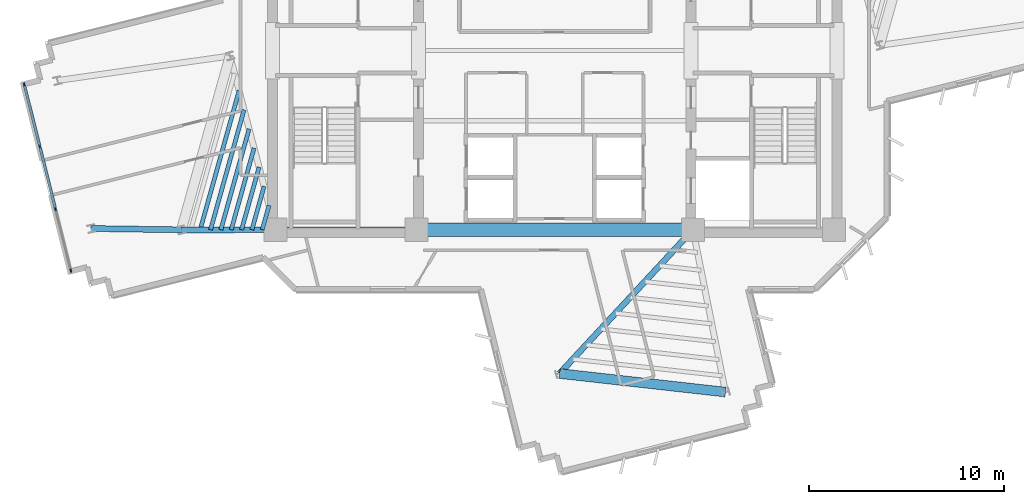
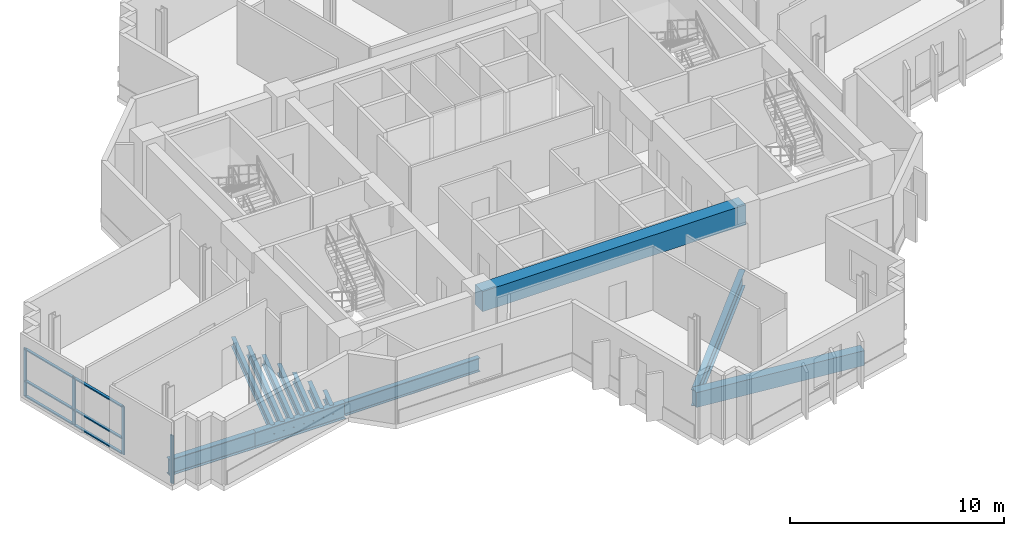
# One storey, part 2 of 13: 13 beams, 10 members, 1 element without a shape of its own.
"""IFC4 building model written with IfcOpenShell, lengths in metres."""

import ifcopenshell
import ifcopenshell.guid

model = None  # the IFC model being written
_history = None  # IfcOwnerHistory: only IFC2X3 demands one
_inside = {}  # id of a spatial element -> (the spatial element, [elements in it])
_under = {}  # id of a project, library or spatial element -> (it, [spatial elements below it])
_declared = {}  # id of a project -> (the project, [libraries it declares])
_typed = {}  # id of a type object -> (the type object, [elements of that type])
_made_of = {}  # id of a material, layer set ... -> (it, [elements and type objects made of it])


def new_model(schema):
    """Start an empty IFC model of exactly this schema.

    Asked for "IFC4X3", IfcOpenShell would pick the latest addendum, in which some entities
    have other attributes; the version numbers below select the first issue.
    IFC2X3 requires an IfcOwnerHistory on every rooted entity: one is made here for all.
    """
    global model, _history
    if schema == "IFC4X3":
        model = ifcopenshell.file(schema_version=(4, 3, 0, 0))
    else:
        model = ifcopenshell.file(schema=schema)
    _inside.clear()
    _under.clear()
    _declared.clear()
    _typed.clear()
    _made_of.clear()
    _history = None
    if model.schema == "IFC2X3":
        org = make("IfcOrganization", Name="unknown")
        user = make(
            "IfcPersonAndOrganization",
            ThePerson=make("IfcPerson", FamilyName="unknown"),
            TheOrganization=org,
        )
        app = make(
            "IfcApplication",
            ApplicationDeveloper=org,
            Version="unknown",
            ApplicationFullName="unknown",
            ApplicationIdentifier="unknown",
        )
        _history = make(
            "IfcOwnerHistory",
            OwningUser=user,
            OwningApplication=app,
            ChangeAction="ADDED",
            CreationDate=0,
        )
    return model


def make(cls, **values):
    """One entity of the class cls with the attributes given. An attribute that is None is left unset."""
    return model.create_entity(
        cls, **{name: value for name, value in values.items() if value is not None}
    )


def rooted(cls, **values):
    """An entity with a GlobalId (a new one), such as an element, a storey or a relation."""
    return make(cls, GlobalId=ifcopenshell.guid.new(), OwnerHistory=_history, **values)


def si_unit(unit_type, name, prefix=None):
    """IfcSIUnit, for example si_unit("LENGTHUNIT", "METRE", prefix="MILLI")."""
    return make("IfcSIUnit", UnitType=unit_type, Prefix=prefix, Name=name)


def assignment(units):
    """IfcUnitAssignment: the units of a project."""
    return None if units is None else make("IfcUnitAssignment", Units=units)


def point(xyz):
    """IfcCartesianPoint."""
    return None if xyz is None else make("IfcCartesianPoint", Coordinates=xyz)


def direction(xyz):
    """IfcDirection."""
    return None if xyz is None else make("IfcDirection", DirectionRatios=xyz)


def frame(location, z_axis=None, x_axis=None):
    """IfcAxis2Placement3D, a coordinate frame: its origin and axes. An axis left out is left unset."""
    return make(
        "IfcAxis2Placement3D",
        Location=point(location),
        Axis=direction(z_axis),
        RefDirection=direction(x_axis),
    )


def frame_2d(location, x_axis=None):
    """IfcAxis2Placement2D, a coordinate frame in the plane: its origin and x axis."""
    return make(
        "IfcAxis2Placement2D", Location=point(location), RefDirection=direction(x_axis)
    )


def origin():
    """The frame at (0, 0, 0) with its axes left unset."""
    return frame((0.0, 0.0, 0.0))


def origin_2d():
    """The frame at (0, 0) in the plane with its x axis left unset."""
    return frame_2d((0.0, 0.0))


def place(relative_to, where):
    """IfcLocalPlacement: puts the frame where relative to a parent placement (None: the world)."""
    return make(
        "IfcLocalPlacement", PlacementRelTo=relative_to, RelativePlacement=where
    )


def context(
    kind, dimensions, precision=None, world=None, true_north=None, identifier=None
):
    """IfcGeometricRepresentationContext, for example the 3D "Model" context."""
    return make(
        "IfcGeometricRepresentationContext",
        ContextIdentifier=identifier,
        ContextType=kind,
        CoordinateSpaceDimension=dimensions,
        Precision=precision,
        WorldCoordinateSystem=world,
        TrueNorth=true_north,
    )


def subcontext(parent, identifier, kind, view, scale=None):
    """IfcGeometricRepresentationSubContext, for example "Body" below "Model"."""
    return make(
        "IfcGeometricRepresentationSubContext",
        ContextIdentifier=identifier,
        ContextType=kind,
        ParentContext=parent,
        TargetScale=scale,
        TargetView=view,
    )


def project(units=None, contexts=None):
    """IfcProject with its units and contexts."""
    return rooted(
        "IfcProject",
        Name="project",
        RepresentationContexts=contexts,
        UnitsInContext=assignment(units),
    )


def spatial(cls, under=None, at=None, **own):
    """A site, building, storey or space (cls), placed at a placement, below another one or the project."""
    s = rooted(cls, ObjectPlacement=at, **own)
    if under is not None:
        _under.setdefault(under.id(), (under, []))[1].append(s)
    return s


def profile(cls, at=None, kind="AREA", **sizes):
    """A parametric profile (cls). Its sizes go by their IFC names, for example OverallWidth=200.0."""
    return make(cls, ProfileType=kind, Position=at, **sizes)


def rectangle(**sizes):
    """IfcRectangleProfileDef."""
    return profile("IfcRectangleProfileDef", **sizes)


def i_section(**sizes):
    """IfcIShapeProfileDef."""
    return profile("IfcIShapeProfileDef", **sizes)


def extrude(swept, where, along, depth):
    """IfcExtrudedAreaSolid: the profile swept, set in the frame where, extruded along a direction by depth."""
    return make(
        "IfcExtrudedAreaSolid",
        SweptArea=swept,
        Position=where,
        ExtrudedDirection=direction(along),
        Depth=depth,
    )


def shape(context_of_items, identifier, shape_type, items):
    """IfcShapeRepresentation: the items that make up one representation, for example the "Body"."""
    return make(
        "IfcShapeRepresentation",
        ContextOfItems=context_of_items,
        RepresentationIdentifier=identifier,
        RepresentationType=shape_type,
        Items=items,
    )


def source(mapping_origin, context_of_items, identifier, shape_type, items):
    """IfcRepresentationMap: a shape defined once, which mapped items show again and again."""
    return make(
        "IfcRepresentationMap",
        MappingOrigin=mapping_origin,
        MappedRepresentation=shape(context_of_items, identifier, shape_type, items),
    )


def transform(
    local_origin,
    x_axis=None,
    y_axis=None,
    z_axis=None,
    scale=None,
    scale2=None,
    scale3=None,
    uniform=True,
):
    """IfcCartesianTransformationOperator3D, or its non-uniform kind. x_axis, y_axis, z_axis: its Axis1, 2, 3."""
    if uniform:
        return make(
            "IfcCartesianTransformationOperator3D",
            Axis1=direction(x_axis),
            Axis2=direction(y_axis),
            LocalOrigin=point(local_origin),
            Scale=scale,
            Axis3=direction(z_axis),
        )
    return make(
        "IfcCartesianTransformationOperator3DnonUniform",
        Axis1=direction(x_axis),
        Axis2=direction(y_axis),
        LocalOrigin=point(local_origin),
        Scale=scale,
        Axis3=direction(z_axis),
        Scale2=scale2,
        Scale3=scale3,
    )


def mapped(mapping_source, mapping_target):
    """IfcMappedItem: shows the shape of a source again, moved by a transform."""
    return make(
        "IfcMappedItem", MappingSource=mapping_source, MappingTarget=mapping_target
    )


def material(Name=None, Category=None):
    """IfcMaterial."""
    return make("IfcMaterial", Name=Name, Category=Category)


def layer(
    of_material, thickness, ventilated=None, Name=None, Category=None, Priority=None
):
    """IfcMaterialLayer: one layer of a wall or slab, of a material (None: an air gap)."""
    return make(
        "IfcMaterialLayer",
        Material=of_material,
        LayerThickness=thickness,
        IsVentilated=ventilated,
        Name=Name,
        Category=Category,
        Priority=Priority,
    )


def layer_set(layers, Name=None):
    """IfcMaterialLayerSet."""
    return make("IfcMaterialLayerSet", MaterialLayers=layers, LayerSetName=Name)


def material_profile(
    of_material, cross_section, Name=None, Category=None, Priority=None
):
    """IfcMaterialProfile: a cross section and its material."""
    return make(
        "IfcMaterialProfile",
        Name=Name,
        Material=of_material,
        Profile=cross_section,
        Priority=Priority,
        Category=Category,
    )


def profile_set(profiles, Name=None, composite=None):
    """IfcMaterialProfileSet."""
    return make(
        "IfcMaterialProfileSet",
        Name=Name,
        MaterialProfiles=profiles,
        CompositeProfile=composite,
    )


def made_of(thing, what):
    """Note that an element or type object is made of a material, layer set ...; save() writes the relation."""
    if what is not None:
        _made_of.setdefault(what.id(), (what, []))[1].append(thing)
    return thing


def type_object(cls, material=None, **own):
    """A type object (cls), such as IfcWallType, which elements share."""
    return made_of(rooted(cls, **own), material)


def element(
    cls,
    number,
    at=None,
    inside=None,
    cuts=None,
    type_object=None,
    material=None,
    context=None,
    identifier="Body",
    shape_type=None,
    held_by="IfcProductDefinitionShape",
    body=None,
    shapes=None,
    **own,
):
    """One element of the class cls, such as IfcWall. Its Tag is "e" and its number.

    at: its placement. inside: the storey or other place that contains it. cuts: it is an
    opening in that element (IfcRelVoidsElement). A single representation is given by context,
    identifier, shape_type and body (its items); several are given by shapes. held_by: the class
    of the entity that holds the representations. save() writes the other relations.
    """
    e = rooted(cls, Tag="e%d" % number, ObjectPlacement=at, **own)
    if body is not None:
        shapes = [shape(context, identifier, shape_type, body)]
    if shapes is not None:
        e.Representation = make(held_by, Representations=shapes)
    if inside is not None:
        _inside.setdefault(inside.id(), (inside, []))[1].append(e)
    if cuts is not None:
        rooted(
            "IfcRelVoidsElement", RelatingBuildingElement=cuts, RelatedOpeningElement=e
        )
    if type_object is not None:
        _typed.setdefault(type_object.id(), (type_object, []))[1].append(e)
    return made_of(e, material)


def aggregate(whole, parts):
    """IfcRelAggregates: a whole, such as a stair, and the parts it consists of."""
    return rooted("IfcRelAggregates", RelatingObject=whole, RelatedObjects=parts)


def save(model, path):
    """Write the relations noted so far, then the file.

    IfcRelAggregates (storeys below a building ...), IfcRelContainedInSpatialStructure (elements
    in a storey), IfcRelDefinesByType, IfcRelAssociatesMaterial and IfcRelDeclares: one each for
    every whole, place, type object, material and project.
    """
    for whole, parts in _under.values():
        aggregate(whole, parts)
    for where, things in _inside.values():
        rooted(
            "IfcRelContainedInSpatialStructure",
            RelatedElements=things,
            RelatingStructure=where,
        )
    for kind, things in _typed.values():
        rooted("IfcRelDefinesByType", RelatedObjects=things, RelatingType=kind)
    for what, things in _made_of.values():
        rooted("IfcRelAssociatesMaterial", RelatedObjects=things, RelatingMaterial=what)
    for by, libraries in _declared.values():
        rooted("IfcRelDeclares", RelatingContext=by, RelatedDefinitions=libraries)
    model.write(path)


model = new_model("IFC4")

# Units and contexts
model_context = context("Model", 3, precision=1e-05, world=origin(), true_north=direction((0.0, 1.0)))
body_context = subcontext(model_context, "Body", "Model", "MODEL_VIEW")
ifc_project = project(units=[si_unit("LENGTHUNIT", "METRE"), si_unit("AREAUNIT", "SQUARE_METRE"), si_unit("VOLUMEUNIT", "CUBIC_METRE"), si_unit("PLANEANGLEUNIT", "RADIAN"), si_unit("MASSUNIT", "GRAM", prefix="KILO")], contexts=[model_context])

# Site, building, storey
site_placement = place(None, origin())
site = spatial("IfcSite", under=ifc_project, at=site_placement, CompositionType="ELEMENT")
building_placement = place(site_placement, origin())
building = spatial("IfcBuilding", under=site, at=building_placement, Name="Zahravan Cultural Tower", CompositionType="ELEMENT")
storey_placement = place(building_placement, frame((0.0, 0.0, 190.199951171875)))
storey = spatial("IfcBuildingStorey", under=building, at=storey_placement, Name="L44", CompositionType="ELEMENT", Elevation=190.199951171875)

# Beams
ifc_material_1 = material(Name="Concrete C50/60", Category="concrete")
ifc_material_profile_1 = material_profile(ifc_material_1, rectangle(XDim=0.699951171875, YDim=1.14990234375, at=origin_2d()), Name="RC700X1150")
ifc_profile_set_1 = profile_set([ifc_material_profile_1], Name="Concrete C50/60")
beam_type_1 = type_object("IfcBeamType", Name="BM-LN-RC700X1150", PredefinedType="LINTEL", material=ifc_profile_set_1)
shared_shape_1 = source(origin(), body_context, "Body", "SweptSolid", [
    extrude(rectangle(XDim=0.699951171875, YDim=1.14990234375, at=origin_2d()), origin(), (0.0, 0.0, 1.0), 14.2001953125),
])
beam_1_placement = place(storey_placement, frame((28.89990234375, 17.800048828125, 3.045166015625), z_axis=(1.0, 0.0, 0.0), x_axis=(0.0, 1.0, 0.0)))
element("IfcBeam", 1, at=beam_1_placement, inside=storey, type_object=beam_type_1, Name="L44 Beam LN-L44-S", PredefinedType="LINTEL", context=body_context, shape_type="MappedRepresentation", body=[
    mapped(shared_shape_1, transform((0.0, 0.0, 0.0), x_axis=(1.0, 0.0, 0.0), y_axis=(0.0, 1.0, 0.0), z_axis=(0.0, 0.0, 1.0), scale=1.0)),
])
ifc_material_2 = material(Name="Steel ASTM A992 Grade 50", Category="steel")
ifc_material_profile_2 = material_profile(ifc_material_2, i_section(OverallWidth=0.26611328125, OverallDepth=0.780029296875, WebThickness=0.0166015625, FlangeThickness=0.030029296875, FilletRadius=0.01904296875, at=origin_2d()), Name="W30X148")
ifc_profile_set_2 = profile_set([ifc_material_profile_2], Name="Steel ASTM A992 Grade 50")
beam_type_2 = type_object("IfcBeamType", Name="BM-G-W30X148", PredefinedType="BEAM", material=ifc_profile_set_2)
shared_shape_2 = source(origin(), body_context, "Body", "SweptSolid", [
    extrude(i_section(OverallWidth=0.26611328125, OverallDepth=0.780029296875, WebThickness=0.0166015625, FlangeThickness=0.030029296875, FilletRadius=0.01904296875, at=origin_2d()), origin(), (0.0, 0.0, 1.0), 7.25),
])
beam_2_placement = place(storey_placement, frame((21.64990234375, 17.800048828125, -0.669921875), z_axis=(1.0, 0.0, 0.0), x_axis=(0.0, 1.0, 0.0)))
element("IfcBeam", 2, at=beam_2_placement, inside=storey, type_object=beam_type_2, Name="L44 Beam BG-L44-01", PredefinedType="BEAM", context=body_context, shape_type="MappedRepresentation", body=[
    mapped(shared_shape_2, transform((0.0, 0.0, 0.0), x_axis=(1.0, 0.0, 0.0), y_axis=(0.0, 1.0, 0.0), z_axis=(0.0, 0.0, 1.0), scale=1.0)),
])
ifc_material_profile_3 = material_profile(ifc_material_2, i_section(OverallWidth=0.304931640625, OverallDepth=0.9189453125, WebThickness=0.017333984375, FlangeThickness=0.02783203125, FilletRadius=0.02392578125, at=origin_2d()), Name="W36X170")
ifc_profile_set_3 = profile_set([ifc_material_profile_3], Name="Steel ASTM A992 Grade 50")
beam_type_3 = type_object("IfcBeamType", Name="BM-G-W36X170", PredefinedType="BEAM", material=ifc_profile_set_3)
shared_shape_3 = source(origin(), body_context, "Body", "SweptSolid", [
    extrude(i_section(OverallWidth=0.304931640625, OverallDepth=0.9189453125, WebThickness=0.017333984375, FlangeThickness=0.02783203125, FilletRadius=0.02392578125, at=origin_2d()), origin(), (0.0, 0.0, 1.0), 4.834716796875),
])
beam_3_placement = place(storey_placement, frame((21.64990234375, 17.800048828125, -0.739501953125), z_axis=(-0.99999920313, -0.001262433979, 0.0), x_axis=(0.001262433979, -0.99999920313, 0.0)))
element("IfcBeam", 3, at=beam_3_placement, inside=storey, type_object=beam_type_3, Name="L44 Beam BG-L44-08", PredefinedType="BEAM", context=body_context, shape_type="MappedRepresentation", body=[
    mapped(shared_shape_3, transform((0.0, 0.0, 0.0), x_axis=(1.0, 0.0, 0.0), y_axis=(0.0, 1.0, 0.0), z_axis=(0.0, 0.0, 1.0), scale=1.0)),
])
shared_shape_4 = source(origin(), body_context, "Body", "SweptSolid", [
    extrude(i_section(OverallWidth=0.304931640625, OverallDepth=0.9189453125, WebThickness=0.017333984375, FlangeThickness=0.02783203125, FilletRadius=0.02392578125, at=origin_2d()), origin(), (0.0, 0.0, 1.0), 10.077880859375),
])
beam_4_placement = place(storey_placement, frame((43.10009765625, 17.800048828125, -0.739501953125), z_axis=(-0.680170435587, -0.733054007938, 0.0), x_axis=(0.733054007938, -0.680170435587, 0.0)))
element("IfcBeam", 4, at=beam_4_placement, inside=storey, type_object=beam_type_3, Name="L44 Beam BG-L44-09", PredefinedType="BEAM", context=body_context, shape_type="MappedRepresentation", body=[
    mapped(shared_shape_4, transform((0.0, 0.0, 0.0), x_axis=(1.0, 0.0, 0.0), y_axis=(0.0, 1.0, 0.0), z_axis=(0.0, 0.0, 1.0), scale=1.0)),
])
shared_shape_5 = source(origin(), body_context, "Body", "SweptSolid", [
    extrude(i_section(OverallWidth=0.304931640625, OverallDepth=0.9189453125, WebThickness=0.017333984375, FlangeThickness=0.02783203125, FilletRadius=0.02392578125, at=origin_2d()), origin(), (0.0, 0.0, 1.0), 4.622314453125),
])
beam_5_placement = place(storey_placement, frame((16.815185546875, 17.7939453125, -0.739501953125), z_axis=(-0.999889070044, 0.014894549562, 0.0), x_axis=(-0.014894549562, -0.999889070044, 0.0)))
element("IfcBeam", 5, at=beam_5_placement, inside=storey, type_object=beam_type_3, Name="L44 Beam BG-L44-18", PredefinedType="BEAM", context=body_context, shape_type="MappedRepresentation", body=[
    mapped(shared_shape_5, transform((0.0, 0.0, 0.0), x_axis=(1.0, 0.0, 0.0), y_axis=(0.0, 1.0, 0.0), z_axis=(0.0, 0.0, 1.0), scale=1.0)),
])
ifc_material_profile_4 = material_profile(ifc_material_1, rectangle(XDim=0.5, YDim=0.85009765625, at=origin_2d()), Name="RC500X850")
ifc_profile_set_4 = profile_set([ifc_material_profile_4], Name="Concrete C50/60")
beam_type_4 = type_object("IfcBeamType", Name="BM-SP-RC500X850", PredefinedType="SPANDREL", material=ifc_profile_set_4)
shared_shape_6 = source(origin(), body_context, "Body", "SweptSolid", [
    extrude(rectangle(XDim=0.5, YDim=0.85009765625, at=origin_2d()), origin(), (0.0, 0.0, 1.0), 8.579833984375),
])
beam_6_placement = place(storey_placement, frame((36.245361328125, 10.412353515625, -0.704833984375), z_axis=(0.9938040105, -0.11114669907, 0.0), x_axis=(0.11114669907, 0.9938040105, 0.0)))
element("IfcBeam", 6, at=beam_6_placement, inside=storey, type_object=beam_type_4, Name="L44 Beam SP-L44-20", PredefinedType="SPANDREL", context=body_context, shape_type="MappedRepresentation", body=[
    mapped(shared_shape_6, transform((0.0, 0.0, 0.0), x_axis=(1.0, 0.0, 0.0), y_axis=(0.0, 1.0, 0.0), z_axis=(0.0, 0.0, 1.0), scale=1.0)),
])
ifc_material_profile_5 = material_profile(ifc_material_2, i_section(OverallWidth=0.2099609375, OverallDepth=0.532958984375, WebThickness=0.01025390625, FlangeThickness=0.015625, FilletRadius=0.013916015625, at=origin_2d()), Name="W21X62")
ifc_profile_set_5 = profile_set([ifc_material_profile_5], Name="Steel ASTM A992 Grade 50")
beam_type_5 = type_object("IfcBeamType", Name="BM-J-W21X62", PredefinedType="JOIST", material=ifc_profile_set_5)
shared_shape_7 = source(origin(), body_context, "Body", "SweptSolid", [
    extrude(i_section(OverallWidth=0.2099609375, OverallDepth=0.532958984375, WebThickness=0.01025390625, FlangeThickness=0.015625, FilletRadius=0.013916015625, at=origin_2d()), origin(), (0.0, 0.0, 1.0), 1.299072265625),
])
beam_7_placement = place(storey_placement, frame((21.3232421875, 19.050048828125, -0.54638671875), z_axis=(-0.269504444708, -0.962999145525, 0.0), x_axis=(0.962999145525, -0.269504444708, 0.0)))
element("IfcBeam", 7, at=beam_7_placement, inside=storey, type_object=beam_type_5, Name="L44 Beam BJ-L44-26", PredefinedType="JOIST", context=body_context, shape_type="MappedRepresentation", body=[
    mapped(shared_shape_7, transform((0.0, 0.0, 0.0), x_axis=(1.0, 0.0, 0.0), y_axis=(0.0, 1.0, 0.0), z_axis=(0.0, 0.0, 1.0), scale=1.0)),
])
shared_shape_8 = source(origin(), body_context, "Body", "SweptSolid", [
    extrude(i_section(OverallWidth=0.2099609375, OverallDepth=0.532958984375, WebThickness=0.01025390625, FlangeThickness=0.015625, FilletRadius=0.013916015625, at=origin_2d()), origin(), (0.0, 0.0, 1.0), 2.3193359375),
])
beam_8_placement = place(storey_placement, frame((21.06640625, 20.0322265625, -0.54638671875), z_axis=(-0.269462038626, -0.963011012263, 0.0), x_axis=(0.963011012263, -0.269462038626, 0.0)))
element("IfcBeam", 8, at=beam_8_placement, inside=storey, type_object=beam_type_5, Name="L44 Beam BJ-L44-27", PredefinedType="JOIST", context=body_context, shape_type="MappedRepresentation", body=[
    mapped(shared_shape_8, transform((0.0, 0.0, 0.0), x_axis=(1.0, 0.0, 0.0), y_axis=(0.0, 1.0, 0.0), z_axis=(0.0, 0.0, 1.0), scale=1.0)),
])
shared_shape_9 = source(origin(), body_context, "Body", "SweptSolid", [
    extrude(i_section(OverallWidth=0.2099609375, OverallDepth=0.532958984375, WebThickness=0.01025390625, FlangeThickness=0.015625, FilletRadius=0.013916015625, at=origin_2d()), origin(), (0.0, 0.0, 1.0), 3.340087890625),
])
beam_9_placement = place(storey_placement, frame((20.809814453125, 21.014404296875, -0.54638671875), z_axis=(-0.269562146951, -0.962982995141, 0.0), x_axis=(0.962982995141, -0.269562146951, 0.0)))
element("IfcBeam", 9, at=beam_9_placement, inside=storey, type_object=beam_type_5, Name="L44 Beam BJ-L44-28", PredefinedType="JOIST", context=body_context, shape_type="MappedRepresentation", body=[
    mapped(shared_shape_9, transform((0.0, 0.0, 0.0), x_axis=(1.0, 0.0, 0.0), y_axis=(0.0, 1.0, 0.0), z_axis=(0.0, 0.0, 1.0), scale=1.0)),
])
shared_shape_10 = source(origin(), body_context, "Body", "SweptSolid", [
    extrude(i_section(OverallWidth=0.2099609375, OverallDepth=0.532958984375, WebThickness=0.01025390625, FlangeThickness=0.015625, FilletRadius=0.013916015625, at=origin_2d()), origin(), (0.0, 0.0, 1.0), 4.36083984375),
])
beam_10_placement = place(storey_placement, frame((20.552978515625, 21.99658203125, -0.54638671875), z_axis=(-0.269511557673, -0.962997154866, 0.0), x_axis=(0.962997154866, -0.269511557673, 0.0)))
element("IfcBeam", 10, at=beam_10_placement, inside=storey, type_object=beam_type_5, Name="L44 Beam BJ-L44-29", PredefinedType="JOIST", context=body_context, shape_type="MappedRepresentation", body=[
    mapped(shared_shape_10, transform((0.0, 0.0, 0.0), x_axis=(1.0, 0.0, 0.0), y_axis=(0.0, 1.0, 0.0), z_axis=(0.0, 0.0, 1.0), scale=1.0)),
])
shared_shape_11 = source(origin(), body_context, "Body", "SweptSolid", [
    extrude(i_section(OverallWidth=0.2099609375, OverallDepth=0.532958984375, WebThickness=0.01025390625, FlangeThickness=0.015625, FilletRadius=0.013916015625, at=origin_2d()), origin(), (0.0, 0.0, 1.0), 5.3818359375),
])
beam_11_placement = place(storey_placement, frame((20.296142578125, 22.97900390625, -0.54638671875), z_axis=(-0.269510454638, -0.962997463569, 0.0), x_axis=(0.962997463569, -0.269510454638, 0.0)))
element("IfcBeam", 11, at=beam_11_placement, inside=storey, type_object=beam_type_5, Name="L44 Beam BJ-L44-30", PredefinedType="JOIST", context=body_context, shape_type="MappedRepresentation", body=[
    mapped(shared_shape_11, transform((0.0, 0.0, 0.0), x_axis=(1.0, 0.0, 0.0), y_axis=(0.0, 1.0, 0.0), z_axis=(0.0, 0.0, 1.0), scale=1.0)),
])
shared_shape_12 = source(origin(), body_context, "Body", "SweptSolid", [
    extrude(i_section(OverallWidth=0.2099609375, OverallDepth=0.532958984375, WebThickness=0.01025390625, FlangeThickness=0.015625, FilletRadius=0.013916015625, at=origin_2d()), origin(), (0.0, 0.0, 1.0), 6.402099609375),
])
beam_12_placement = place(storey_placement, frame((20.039306640625, 23.961181640625, -0.54638671875), z_axis=(-0.269494133533, -0.963002031146, 0.0), x_axis=(0.963002031146, -0.269494133533, 0.0)))
element("IfcBeam", 12, at=beam_12_placement, inside=storey, type_object=beam_type_5, Name="L44 Beam BJ-L44-31", PredefinedType="JOIST", context=body_context, shape_type="MappedRepresentation", body=[
    mapped(shared_shape_12, transform((0.0, 0.0, 0.0), x_axis=(1.0, 0.0, 0.0), y_axis=(0.0, 1.0, 0.0), z_axis=(0.0, 0.0, 1.0), scale=1.0)),
])
shared_shape_13 = source(origin(), body_context, "Body", "SweptSolid", [
    extrude(i_section(OverallWidth=0.2099609375, OverallDepth=0.532958984375, WebThickness=0.01025390625, FlangeThickness=0.015625, FilletRadius=0.013916015625, at=origin_2d()), origin(), (0.0, 0.0, 1.0), 7.4228515625),
])
beam_13_placement = place(storey_placement, frame((19.78271484375, 24.943359375, -0.54638671875), z_axis=(-0.269504266128, -0.962999195503, 0.0), x_axis=(0.962999195503, -0.269504266128, 0.0)))
element("IfcBeam", 13, at=beam_13_placement, inside=storey, type_object=beam_type_5, Name="L44 Beam BJ-L44-32", PredefinedType="JOIST", context=body_context, shape_type="MappedRepresentation", body=[
    mapped(shared_shape_13, transform((0.0, 0.0, 0.0), x_axis=(1.0, 0.0, 0.0), y_axis=(0.0, 1.0, 0.0), z_axis=(0.0, 0.0, 1.0), scale=1.0)),
])

# Curtain wall, members
ifc_material_3 = material(Name="Anodised bronze-aluminium mullion", Category="aluminium")
ifc_layer = layer(ifc_material_3, 0.179931640625)
ifc_layer_set = layer_set([ifc_layer], Name="Anodised bronze-aluminium mullion")
curtain_wall_type = type_object("IfcCurtainWallType", Name="CW-SYS-3", PredefinedType="USERDEFINED", material=ifc_layer_set)
curtain_wall_placement = place(storey_placement, origin())
curtain_wall = element("IfcCurtainWall", 14, at=curtain_wall_placement, inside=storey, type_object=curtain_wall_type, Name="L44 Recessed Curtain Wall CW-3.2", ObjectType="RECESSED GLAZING", PredefinedType="USERDEFINED")
ifc_material_profile_6 = material_profile(ifc_material_3, rectangle(XDim=0.070068359375, YDim=0.179931640625, at=origin_2d()), Name="AL-M70X180")
ifc_profile_set_6 = profile_set([ifc_material_profile_6], Name="Anodised bronze-aluminium mullion")
member_type_1 = type_object("IfcMemberType", Name="CWM-CW-3", PredefinedType="MULLION", material=ifc_profile_set_6)
shared_shape_14 = source(origin(), body_context, "Body", "SweptSolid", [
    extrude(rectangle(XDim=0.070068359375, YDim=0.179931640625, at=origin_2d()), origin(), (0.0, 0.0, 1.0), 2.739990234375),
])
member_1_placement = place(storey_placement, frame((11.14111328125, 15.697265625, 0.0), z_axis=(0.0, 0.0, 1.0), x_axis=(-0.970040421945, -0.242943573269, 0.0)))
member_1 = element("IfcMember", 15, at=member_1_placement, type_object=member_type_1, Name="CW-3 mullion 1", PredefinedType="MULLION", context=body_context, shape_type="MappedRepresentation", body=[
    mapped(shared_shape_14, transform((0.0, 0.0, 0.0), x_axis=(1.0, 0.0, 0.0), y_axis=(0.0, 1.0, 0.0), z_axis=(0.0, 0.0, 1.0), scale=1.0)),
])
member_2_placement = place(storey_placement, frame((10.346435546875, 18.870849609375, 0.0), z_axis=(0.0, 0.0, 1.0), x_axis=(-0.970040421945, -0.242943573269, 0.0)))
member_2 = element("IfcMember", 16, at=member_2_placement, type_object=member_type_1, Name="CW-3 mullion 2", PredefinedType="MULLION", context=body_context, shape_type="MappedRepresentation", body=[
    mapped(shared_shape_14, transform((0.0, 0.0, 0.0), x_axis=(1.0, 0.0, 0.0), y_axis=(0.0, 1.0, 0.0), z_axis=(0.0, 0.0, 1.0), scale=1.0)),
])
member_3_placement = place(storey_placement, frame((9.54296875, 22.07861328125, 0.0), z_axis=(0.0, 0.0, 1.0), x_axis=(-0.970040421945, -0.242943573269, 0.0)))
member_3 = element("IfcMember", 17, at=member_3_placement, type_object=member_type_1, Name="CW-3 mullion 3", PredefinedType="MULLION", context=body_context, shape_type="MappedRepresentation", body=[
    mapped(shared_shape_14, transform((0.0, 0.0, 0.0), x_axis=(1.0, 0.0, 0.0), y_axis=(0.0, 1.0, 0.0), z_axis=(0.0, 0.0, 1.0), scale=1.0)),
])
member_4_placement = place(storey_placement, frame((8.748291015625, 25.252197265625, 0.0), z_axis=(0.0, 0.0, 1.0), x_axis=(-0.970040421945, -0.242943573269, 0.0)))
member_4 = element("IfcMember", 18, at=member_4_placement, type_object=member_type_1, Name="CW-3 mullion 4", PredefinedType="MULLION", context=body_context, shape_type="MappedRepresentation", body=[
    mapped(shared_shape_14, transform((0.0, 0.0, 0.0), x_axis=(1.0, 0.0, 0.0), y_axis=(0.0, 1.0, 0.0), z_axis=(0.0, 0.0, 1.0), scale=1.0)),
])
ifc_material_profile_7 = material_profile(ifc_material_3, rectangle(XDim=0.139892578125, YDim=0.070068359375, at=origin_2d()), Name="AL-T70X140")
ifc_profile_set_7 = profile_set([ifc_material_profile_7], Name="Anodised bronze-aluminium mullion")
member_type_2 = type_object("IfcMemberType", Name="CWT-CW-3", PredefinedType="USERDEFINED", material=ifc_profile_set_7)
shared_shape_15 = source(origin(), body_context, "Body", "SweptSolid", [
    extrude(rectangle(XDim=0.139892578125, YDim=0.070068359375, at=origin_2d()), origin(), (0.0, 0.0, 1.0), 3.20166015625),
])
member_5_placement = place(storey_placement, frame((9.534423828125, 22.112548828125, 0.03515625), z_axis=(-0.242948276951, 0.97003924391, 0.0), x_axis=(-0.97003924391, -0.242948276951, 0.0)))
member_5 = element("IfcMember", 19, at=member_5_placement, type_object=member_type_2, Name="CW-3 transom 3.1", ObjectType="TRANSOM", PredefinedType="USERDEFINED", context=body_context, shape_type="MappedRepresentation", body=[
    mapped(shared_shape_15, transform((0.0, 0.0, 0.0), x_axis=(1.0, 0.0, 0.0), y_axis=(0.0, 1.0, 0.0), z_axis=(0.0, 0.0, 1.0), scale=1.0)),
])
member_6_placement = place(storey_placement, frame((9.534423828125, 22.112548828125, 0.900146484375), z_axis=(-0.242948276951, 0.97003924391, 0.0), x_axis=(-0.97003924391, -0.242948276951, 0.0)))
member_6 = element("IfcMember", 20, at=member_6_placement, type_object=member_type_2, Name="CW-3 transom 3.2", ObjectType="TRANSOM", PredefinedType="USERDEFINED", context=body_context, shape_type="MappedRepresentation", body=[
    mapped(shared_shape_15, transform((0.0, 0.0, 0.0), x_axis=(1.0, 0.0, 0.0), y_axis=(0.0, 1.0, 0.0), z_axis=(0.0, 0.0, 1.0), scale=1.0)),
])
member_7_placement = place(storey_placement, frame((9.534423828125, 22.112548828125, 2.705078125), z_axis=(-0.242948276951, 0.97003924391, 0.0), x_axis=(-0.97003924391, -0.242948276951, 0.0)))
member_7 = element("IfcMember", 21, at=member_7_placement, type_object=member_type_2, Name="CW-3 transom 3.3", ObjectType="TRANSOM", PredefinedType="USERDEFINED", context=body_context, shape_type="MappedRepresentation", body=[
    mapped(shared_shape_15, transform((0.0, 0.0, 0.0), x_axis=(1.0, 0.0, 0.0), y_axis=(0.0, 1.0, 0.0), z_axis=(0.0, 0.0, 1.0), scale=1.0)),
])
shared_shape_16 = source(origin(), body_context, "Body", "SweptSolid", [
    extrude(rectangle(XDim=0.139892578125, YDim=0.070068359375, at=origin_2d()), origin(), (0.0, 0.0, 1.0), 3.236572265625),
])
member_8_placement = place(storey_placement, frame((10.337890625, 18.90478515625, 0.03515625), z_axis=(-0.242961561991, 0.970035916549, 0.0), x_axis=(-0.970035916549, -0.242961561991, 0.0)))
member_8 = element("IfcMember", 22, at=member_8_placement, type_object=member_type_2, Name="CW-3 transom 2.1", ObjectType="TRANSOM", PredefinedType="USERDEFINED", context=body_context, shape_type="MappedRepresentation", body=[
    mapped(shared_shape_16, transform((0.0, 0.0, 0.0), x_axis=(1.0, 0.0, 0.0), y_axis=(0.0, 1.0, 0.0), z_axis=(0.0, 0.0, 1.0), scale=1.0)),
])
member_9_placement = place(storey_placement, frame((10.337890625, 18.90478515625, 0.900146484375), z_axis=(-0.242961561991, 0.970035916549, 0.0), x_axis=(-0.970035916549, -0.242961561991, 0.0)))
member_9 = element("IfcMember", 23, at=member_9_placement, type_object=member_type_2, Name="CW-3 transom 2.2", ObjectType="TRANSOM", PredefinedType="USERDEFINED", context=body_context, shape_type="MappedRepresentation", body=[
    mapped(shared_shape_16, transform((0.0, 0.0, 0.0), x_axis=(1.0, 0.0, 0.0), y_axis=(0.0, 1.0, 0.0), z_axis=(0.0, 0.0, 1.0), scale=1.0)),
])
member_10_placement = place(storey_placement, frame((10.337890625, 18.90478515625, 2.705078125), z_axis=(-0.242961561991, 0.970035916549, 0.0), x_axis=(-0.970035916549, -0.242961561991, 0.0)))
member_10 = element("IfcMember", 24, at=member_10_placement, type_object=member_type_2, Name="CW-3 transom 2.3", ObjectType="TRANSOM", PredefinedType="USERDEFINED", context=body_context, shape_type="MappedRepresentation", body=[
    mapped(shared_shape_16, transform((0.0, 0.0, 0.0), x_axis=(1.0, 0.0, 0.0), y_axis=(0.0, 1.0, 0.0), z_axis=(0.0, 0.0, 1.0), scale=1.0)),
])
aggregate(curtain_wall, [member_1, member_2, member_3, member_4, member_8, member_9, member_10, member_5, member_6, member_7])

save(model, "model.ifc")
